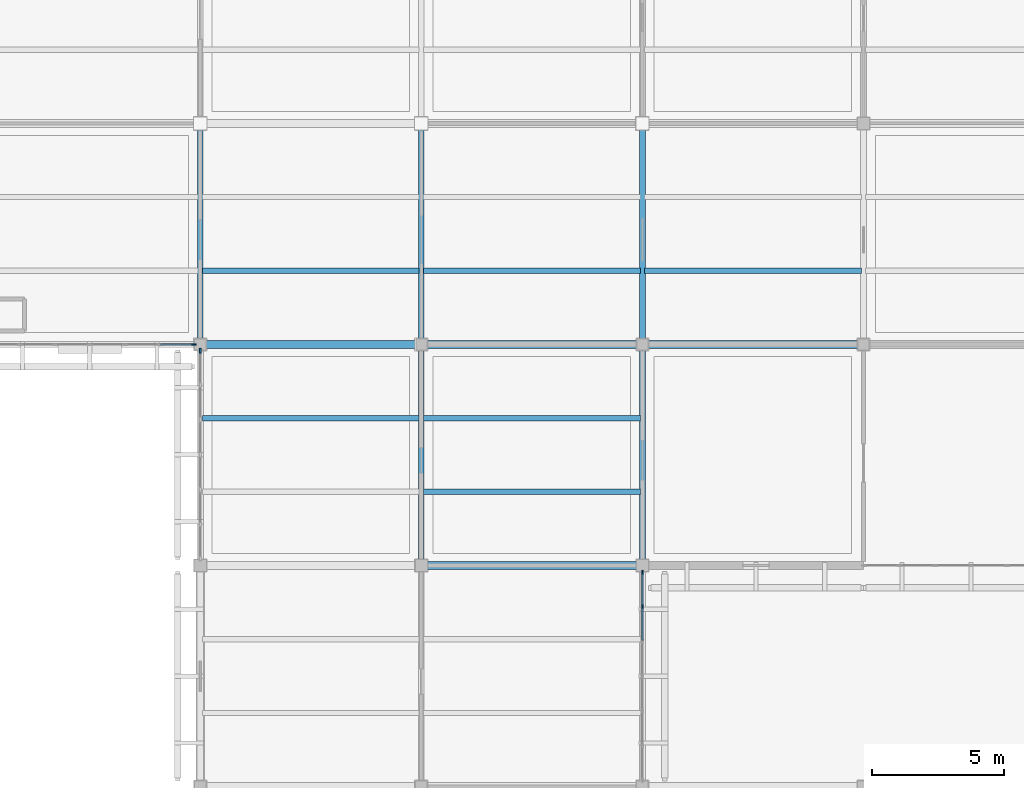
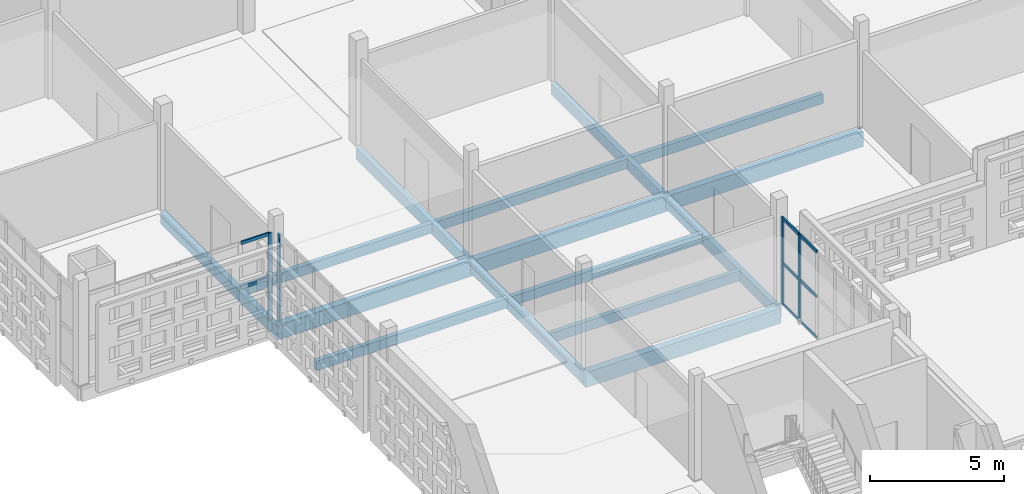
# One storey, part 23 of 203: 15 beams, 12 members, 3 elements without a shape of their own.
"""IFC4 building model written with IfcOpenShell, lengths in metres."""

from ifc_helpers import new_model, si_unit, direction, frame, origin, origin_2d, place, context, subcontext, project, spatial, rectangle, extrude, material, layer, layer_set, material_profile, profile_set, type_object, element, aggregate, save


model = new_model("IFC4")

# Units and contexts
model_context = context("Model", 3, precision=1e-05, world=origin(), true_north=direction((0.0, 1.0)))
body_context = subcontext(model_context, "Body", "Model", "MODEL_VIEW")
ifc_project = project(units=[si_unit("LENGTHUNIT", "METRE"), si_unit("AREAUNIT", "SQUARE_METRE"), si_unit("VOLUMEUNIT", "CUBIC_METRE"), si_unit("PLANEANGLEUNIT", "RADIAN"), si_unit("MASSUNIT", "GRAM", prefix="KILO")], contexts=[model_context])

# Site, building, storey
site_placement = place(None, origin())
site = spatial("IfcSite", under=ifc_project, at=site_placement, CompositionType="ELEMENT")
building_placement = place(site_placement, origin())
building = spatial("IfcBuilding", under=site, at=building_placement, Name="Varnapada Polytechnic", CompositionType="ELEMENT")
storey_placement = place(building_placement, frame((0.0, 0.0, 4.800048828125)))
storey = spatial("IfcBuildingStorey", under=building, at=storey_placement, Name="L01", CompositionType="ELEMENT", Elevation=4.800048828125)

# Beams
ifc_material_1 = material(Name="Glulam GL32h", Category="wood")
ifc_material_profile_1 = material_profile(ifc_material_1, rectangle(XDim=0.199951171875, YDim=0.43994140625, at=origin_2d()), Name="GL 200x440")
ifc_profile_set_1 = profile_set([ifc_material_profile_1], Name="Glulam GL32h")
beam_type_1 = type_object("IfcBeamType", Name="Heavy laboratory glulam joist GJ-03 (GL 200x440)", PredefinedType="JOIST", material=ifc_profile_set_1)
for number, where, z_axis, x_axis, name in (
    (1, (8.47998046875, 39.199951171875, -0.47998046875), (1.0, 0.0, 0.0), (0.0, 1.0, 0.0), "L01 floor joist 2/5.2"),
    (2, (8.47998046875, 44.800048828125, -0.469970703125), (1.0, 0.0, 0.0), (0.0, 1.0, 0.0), "L01 floor joist 2/6.1"),
):
    element("IfcBeam", number, at=place(storey_placement, frame(where, z_axis=z_axis, x_axis=x_axis)), inside=storey, type_object=beam_type_1, Name=name, PredefinedType="JOIST", context=body_context, shape_type="SweptSolid", body=[
        extrude(rectangle(XDim=0.199951171875, YDim=0.43994140625, at=origin_2d()), origin(), (0.0, 0.0, 1.0), 8.239990234375),
    ])
for number, where, z_axis, x_axis, name in (
    (3, (16.8798828125, 36.39990234375, -0.47998046875), (1.0, 0.0, 0.0), (0.0, 1.0, 0.0), "L01 floor joist 3/5.1"),
    (4, (16.8798828125, 39.199951171875, -0.47998046875), (1.0, 0.0, 0.0), (0.0, 1.0, 0.0), "L01 floor joist 3/5.2"),
    (5, (16.8798828125, 44.800048828125, -0.469970703125), (1.0, 0.0, 0.0), (0.0, 1.0, 0.0), "L01 floor joist 3/6.1"),
):
    element("IfcBeam", number, at=place(storey_placement, frame(where, z_axis=z_axis, x_axis=x_axis)), inside=storey, type_object=beam_type_1, Name=name, PredefinedType="JOIST", context=body_context, shape_type="SweptSolid", body=[
        extrude(rectangle(XDim=0.199951171875, YDim=0.43994140625, at=origin_2d()), origin(), (0.0, 0.0, 1.0), 8.240234375),
    ])
beam_1_placement = place(storey_placement, frame((25.280029296875, 44.800048828125, -0.469970703125), z_axis=(1.0, 0.0, 0.0), x_axis=(0.0, 1.0, 0.0)))
element("IfcBeam", 6, at=beam_1_placement, inside=storey, type_object=beam_type_1, Name="L01 floor joist 4/6.1", PredefinedType="JOIST", context=body_context, shape_type="SweptSolid", body=[
    extrude(rectangle(XDim=0.199951171875, YDim=0.43994140625, at=origin_2d()), origin(), (0.0, 0.0, 1.0), 8.239990234375),
])
ifc_material_profile_2 = material_profile(ifc_material_1, rectangle(XDim=0.219970703125, YDim=0.52001953125, at=origin_2d()), Name="GL 220x520")
ifc_profile_set_2 = profile_set([ifc_material_profile_2], Name="Glulam GL32h")
beam_type_2 = type_object("IfcBeamType", Name="Laboratory transverse glulam beam GB-12 (GL 220x520)", PredefinedType="BEAM", material=ifc_profile_set_2)
for number, where, z_axis, x_axis, name in (
    (7, (8.39990234375, 42.0, -0.52001953125), (0.0, 1.0, 0.0), (-1.0, 0.0, 0.0), "L01 beam Y 6-7 at X2"),
    (8, (16.800048828125, 33.60009765625, -0.52001953125), (0.0, 1.0, 0.0), (-1.0, 0.0, 0.0), "L01 beam Y 5-6 at X3"),
    (9, (16.800048828125, 42.0, -0.52001953125), (0.0, 1.0, 0.0), (-1.0, 0.0, 0.0), "L01 beam Y 6-7 at X3"),
    (10, (25.199951171875, 33.60009765625, -0.530029296875), (0.0, 1.0, 0.0), (-1.0, 0.0, 0.0), "L01 beam Y 5-6 at X4"),
    (11, (25.199951171875, 42.0, -0.52001953125), (0.0, 1.0, 0.0), (-1.0, 0.0, 0.0), "L01 beam Y 6-7 at X4"),
):
    element("IfcBeam", number, at=place(storey_placement, frame(where, z_axis=z_axis, x_axis=x_axis)), inside=storey, type_object=beam_type_2, Name=name, PredefinedType="BEAM", context=body_context, shape_type="SweptSolid", body=[
        extrude(rectangle(XDim=0.219970703125, YDim=0.52001953125, at=origin_2d()), origin(), (0.0, 0.0, 1.0), 8.39990234375),
    ])

# Curtain wall, member
ifc_material_2 = material(Name="Double low-E laminated glass", Category="glass")
ifc_layer = layer(ifc_material_2, 0.179931640625)
ifc_layer_set = layer_set([ifc_layer], Name="Double low-E laminated glass")
curtain_wall_type = type_object("IfcCurtainWallType", Name="Curtain Wall CW-03", PredefinedType="NOTDEFINED", material=ifc_layer_set)
curtain_wall_1_placement = place(storey_placement, origin())
curtain_wall_1 = element("IfcCurtainWall", 12, at=curtain_wall_1_placement, inside=storey, type_object=curtain_wall_type, Name="L01 unitised curtain wall CW-03 (19)", PredefinedType="NOTDEFINED")
ifc_material_3 = material(Name="Anodised aluminium", Category="aluminium")
ifc_material_profile_3 = material_profile(ifc_material_3, rectangle(XDim=0.06494140625, YDim=0.179931640625, at=origin_2d()), Name="ALU M65x180")
ifc_profile_set_3 = profile_set([ifc_material_profile_3], Name="Anodised aluminium")
member_type_1 = type_object("IfcMemberType", Name="Mullion M-02", PredefinedType="MULLION", material=ifc_profile_set_3)
member_1_placement = place(storey_placement, frame((8.157470703125, 42.0, 0.0), z_axis=(0.0, 0.0, 1.0), x_axis=(0.0, -1.0, 0.0)))
member_1 = element("IfcMember", 13, at=member_1_placement, type_object=member_type_1, Name="CW-03 mullion 1", PredefinedType="MULLION", context=body_context, shape_type="SweptSolid", body=[
    extrude(rectangle(XDim=0.06494140625, YDim=0.179931640625, at=origin_2d()), origin(), (0.0, 0.0, 1.0), 3.9599609375),
])

curtain_wall_2_placement = place(storey_placement, origin())
curtain_wall_2 = element("IfcCurtainWall", 14, at=curtain_wall_2_placement, inside=storey, type_object=curtain_wall_type, Name="L01 unitised curtain wall CW-03 (29)", PredefinedType="NOTDEFINED")
member_2_placement = place(storey_placement, frame((8.39990234375, 41.757568359375, 0.0), z_axis=(0.0, 0.0, 1.0), x_axis=(-1.0, 0.0, 0.0)))
member_2 = element("IfcMember", 15, at=member_2_placement, type_object=member_type_1, Name="CW-03 mullion 7", PredefinedType="MULLION", context=body_context, shape_type="SweptSolid", body=[
    extrude(rectangle(XDim=0.06494140625, YDim=0.179931640625, at=origin_2d()), origin(), (0.0, 0.0, 1.0), 3.9599609375),
])
aggregate(curtain_wall_2, [member_2])

# Curtain wall, members
curtain_wall_3_placement = place(storey_placement, origin())
curtain_wall_3 = element("IfcCurtainWall", 16, at=curtain_wall_3_placement, inside=storey, type_object=curtain_wall_type, Name="L01 unitised curtain wall CW-03 (32)", PredefinedType="NOTDEFINED")
member_3_placement = place(storey_placement, frame((25.199951171875, 33.33740234375, 0.0), z_axis=(0.0, 0.0, 1.0), x_axis=(1.0, 0.0, 0.0)))
member_3 = element("IfcMember", 17, at=member_3_placement, type_object=member_type_1, Name="CW-03 mullion 1", PredefinedType="MULLION", context=body_context, shape_type="SweptSolid", body=[
    extrude(rectangle(XDim=0.06494140625, YDim=0.179931640625, at=origin_2d()), origin(), (0.0, 0.0, 1.0), 3.9599609375),
])
member_4_placement = place(storey_placement, frame((25.199951171875, 32.044921875, 0.0), z_axis=(0.0, 0.0, 1.0), x_axis=(1.0, 0.0, 0.0)))
member_4 = element("IfcMember", 18, at=member_4_placement, type_object=member_type_1, Name="CW-03 mullion 2", PredefinedType="MULLION", context=body_context, shape_type="SweptSolid", body=[
    extrude(rectangle(XDim=0.06494140625, YDim=0.179931640625, at=origin_2d()), origin(), (0.0, 0.0, 1.0), 3.9599609375),
])

# Member
ifc_material_profile_4 = material_profile(ifc_material_3, rectangle(XDim=0.06494140625, YDim=0.139892578125, at=origin_2d()), Name="ALU T65x140")
ifc_profile_set_4 = profile_set([ifc_material_profile_4], Name="Anodised aluminium")
member_type_2 = type_object("IfcMemberType", Name="Transom T-02", PredefinedType="USERDEFINED", material=ifc_profile_set_4)
member_5_placement = place(storey_placement, frame((8.125, 42.0, 1.900634765625), z_axis=(-1.0, 0.0, 0.0), x_axis=(0.0, -1.0, 0.0)))
member_5 = element("IfcMember", 19, at=member_5_placement, type_object=member_type_2, Name="CW-03 transom 1.2", ObjectType="TRANSOM", PredefinedType="USERDEFINED", context=body_context, shape_type="SweptSolid", body=[
    extrude(rectangle(XDim=0.06494140625, YDim=0.139892578125, at=origin_2d()), origin(), (0.0, 0.0, 1.0), 1.232421875),
])

member_6_placement = place(storey_placement, frame((8.125, 42.0, 3.927490234375), z_axis=(-1.0, 0.0, 0.0), x_axis=(0.0, -1.0, 0.0)))
member_6 = element("IfcMember", 20, at=member_6_placement, type_object=member_type_2, Name="CW-03 transom 1.3", ObjectType="TRANSOM", PredefinedType="USERDEFINED", context=body_context, shape_type="SweptSolid", body=[
    extrude(rectangle(XDim=0.06494140625, YDim=0.139892578125, at=origin_2d()), origin(), (0.0, 0.0, 1.0), 1.232421875),
])

aggregate(curtain_wall_1, [member_1, member_5, member_6])

member_7_placement = place(storey_placement, frame((25.199951171875, 33.304931640625, 0.032470703125), z_axis=(0.0, -1.0, 0.0), x_axis=(1.0, 0.0, 0.0)))
member_7 = element("IfcMember", 21, at=member_7_placement, type_object=member_type_2, Name="CW-03 transom 1.1", ObjectType="TRANSOM", PredefinedType="USERDEFINED", context=body_context, shape_type="SweptSolid", body=[
    extrude(rectangle(XDim=0.06494140625, YDim=0.139892578125, at=origin_2d()), origin(), (0.0, 0.0, 1.0), 1.2275390625),
])

member_8_placement = place(storey_placement, frame((25.199951171875, 33.304931640625, 1.900634765625), z_axis=(0.0, -1.0, 0.0), x_axis=(1.0, 0.0, 0.0)))
member_8 = element("IfcMember", 22, at=member_8_placement, type_object=member_type_2, Name="CW-03 transom 1.2", ObjectType="TRANSOM", PredefinedType="USERDEFINED", context=body_context, shape_type="SweptSolid", body=[
    extrude(rectangle(XDim=0.06494140625, YDim=0.139892578125, at=origin_2d()), origin(), (0.0, 0.0, 1.0), 1.2275390625),
])

member_9_placement = place(storey_placement, frame((25.199951171875, 33.304931640625, 3.927490234375), z_axis=(0.0, -1.0, 0.0), x_axis=(1.0, 0.0, 0.0)))
member_9 = element("IfcMember", 23, at=member_9_placement, type_object=member_type_2, Name="CW-03 transom 1.3", ObjectType="TRANSOM", PredefinedType="USERDEFINED", context=body_context, shape_type="SweptSolid", body=[
    extrude(rectangle(XDim=0.06494140625, YDim=0.139892578125, at=origin_2d()), origin(), (0.0, 0.0, 1.0), 1.2275390625),
])

member_10_placement = place(storey_placement, frame((25.199951171875, 32.012451171875, 0.032470703125), z_axis=(0.0, -1.0, 0.0), x_axis=(1.0, 0.0, 0.0)))
member_10 = element("IfcMember", 24, at=member_10_placement, type_object=member_type_2, Name="CW-03 transom 2.1", ObjectType="TRANSOM", PredefinedType="USERDEFINED", context=body_context, shape_type="SweptSolid", body=[
    extrude(rectangle(XDim=0.06494140625, YDim=0.139892578125, at=origin_2d()), origin(), (0.0, 0.0, 1.0), 1.260009765625),
])

member_11_placement = place(storey_placement, frame((25.199951171875, 32.012451171875, 1.900634765625), z_axis=(0.0, -1.0, 0.0), x_axis=(1.0, 0.0, 0.0)))
member_11 = element("IfcMember", 25, at=member_11_placement, type_object=member_type_2, Name="CW-03 transom 2.2", ObjectType="TRANSOM", PredefinedType="USERDEFINED", context=body_context, shape_type="SweptSolid", body=[
    extrude(rectangle(XDim=0.06494140625, YDim=0.139892578125, at=origin_2d()), origin(), (0.0, 0.0, 1.0), 1.260009765625),
])

member_12_placement = place(storey_placement, frame((25.199951171875, 32.012451171875, 3.927490234375), z_axis=(0.0, -1.0, 0.0), x_axis=(1.0, 0.0, 0.0)))
member_12 = element("IfcMember", 26, at=member_12_placement, type_object=member_type_2, Name="CW-03 transom 2.3", ObjectType="TRANSOM", PredefinedType="USERDEFINED", context=body_context, shape_type="SweptSolid", body=[
    extrude(rectangle(XDim=0.06494140625, YDim=0.139892578125, at=origin_2d()), origin(), (0.0, 0.0, 1.0), 1.260009765625),
])

aggregate(curtain_wall_3, [member_3, member_4, member_7, member_8, member_9, member_10, member_11, member_12])

# Beams
ifc_material_profile_5 = material_profile(ifc_material_1, rectangle(XDim=0.300048828125, YDim=0.679931640625, at=origin_2d()), Name="GL 300x680")
ifc_profile_set_5 = profile_set([ifc_material_profile_5], Name="Glulam GL32h")
beam_type_3 = type_object("IfcBeamType", Name="Wet laboratory glulam girder GG-04 (GL 300x680)", PredefinedType="BEAM", material=ifc_profile_set_5)
beam_2_placement = place(storey_placement, frame((8.39990234375, 42.0, -0.60009765625), z_axis=(1.0, 0.0, 0.0), x_axis=(0.0, 1.0, 0.0)))
element("IfcBeam", 27, at=beam_2_placement, inside=storey, type_object=beam_type_3, Name="L01 beam X 2-3 at Y6", PredefinedType="BEAM", context=body_context, shape_type="SweptSolid", body=[
    extrude(rectangle(XDim=0.300048828125, YDim=0.679931640625, at=origin_2d()), origin(), (0.0, 0.0, 1.0), 8.400146484375),
])
for number, where, z_axis, x_axis, name in (
    (28, (16.800048828125, 33.60009765625, -0.610107421875), (1.0, 0.0, 0.0), (0.0, 1.0, 0.0), "L01 beam X 3-4 at Y5"),
    (29, (16.800048828125, 42.0, -0.60009765625), (1.0, 0.0, 0.0), (0.0, 1.0, 0.0), "L01 beam X 3-4 at Y6"),
):
    element("IfcBeam", number, at=place(storey_placement, frame(where, z_axis=z_axis, x_axis=x_axis)), inside=storey, type_object=beam_type_3, Name=name, PredefinedType="BEAM", context=body_context, shape_type="SweptSolid", body=[
        extrude(rectangle(XDim=0.300048828125, YDim=0.679931640625, at=origin_2d()), origin(), (0.0, 0.0, 1.0), 8.39990234375),
    ])
beam_3_placement = place(storey_placement, frame((25.199951171875, 42.0, -0.60009765625), z_axis=(1.0, 0.0, 0.0), x_axis=(0.0, 1.0, 0.0)))
element("IfcBeam", 30, at=beam_3_placement, inside=storey, type_object=beam_type_3, Name="L01 beam X 4-5 at Y6", PredefinedType="BEAM", context=body_context, shape_type="SweptSolid", body=[
    extrude(rectangle(XDim=0.300048828125, YDim=0.679931640625, at=origin_2d()), origin(), (0.0, 0.0, 1.0), 8.400146484375),
])

save(model, "model.ifc")
